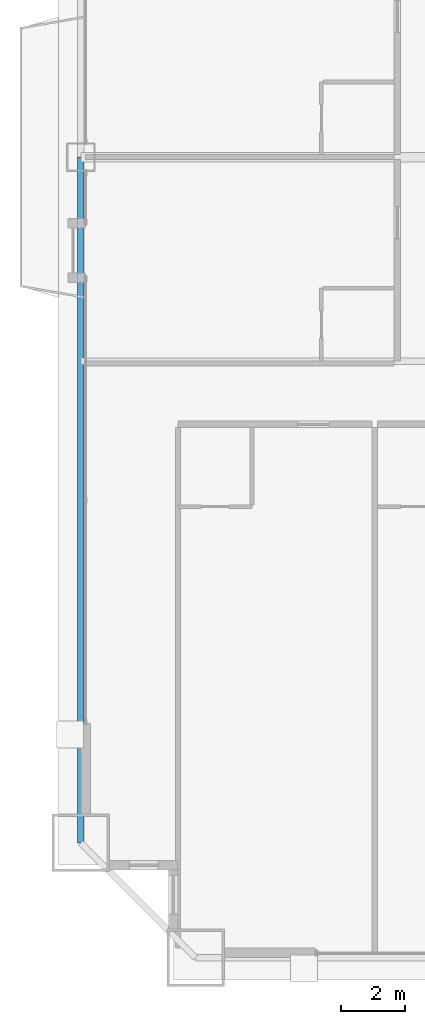
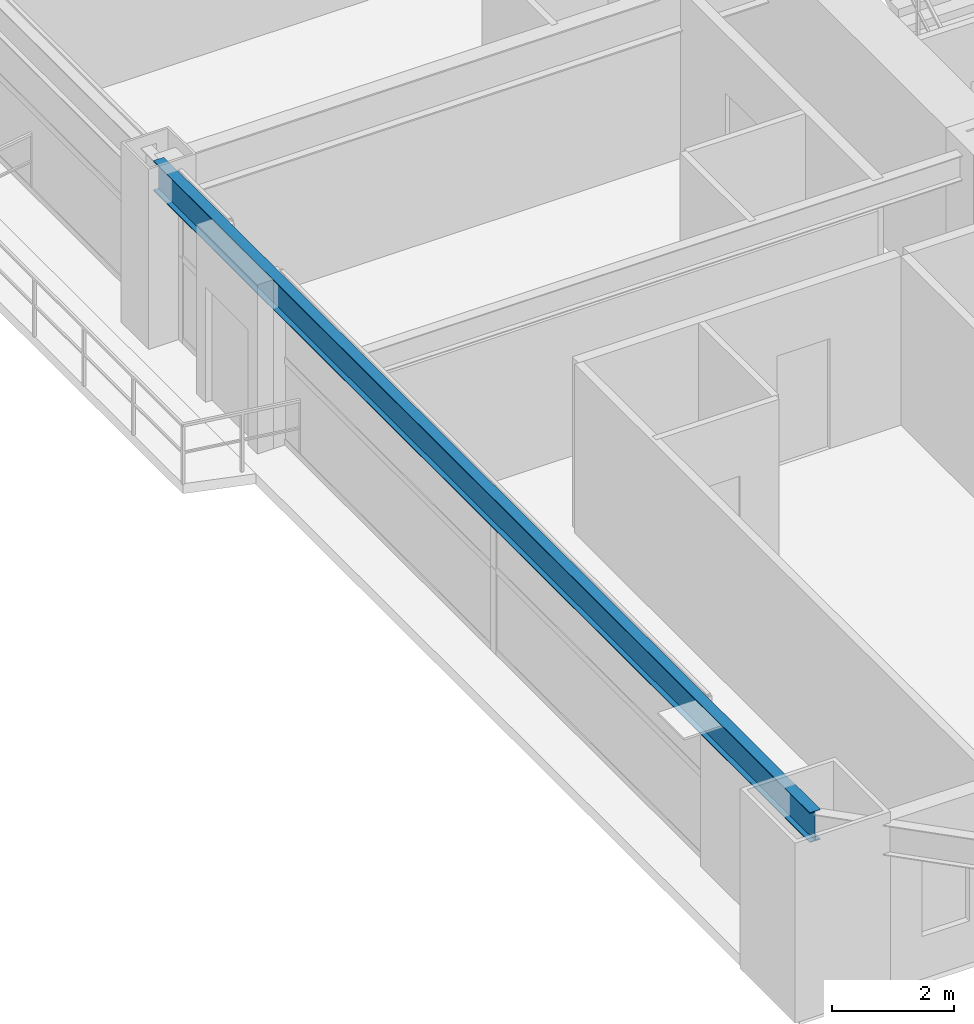
# One storey, part 6 of 46: 1 beam.
"""IFC4 building model written with IfcOpenShell, lengths in metres."""

import ifcopenshell
import ifcopenshell.guid

model = None  # the IFC model being written
_history = None  # IfcOwnerHistory: only IFC2X3 demands one
_inside = {}  # id of a spatial element -> (the spatial element, [elements in it])
_under = {}  # id of a project, library or spatial element -> (it, [spatial elements below it])
_declared = {}  # id of a project -> (the project, [libraries it declares])
_typed = {}  # id of a type object -> (the type object, [elements of that type])
_made_of = {}  # id of a material, layer set ... -> (it, [elements and type objects made of it])


def new_model(schema):
    """Start an empty IFC model of exactly this schema.

    Asked for "IFC4X3", IfcOpenShell would pick the latest addendum, in which some entities
    have other attributes; the version numbers below select the first issue.
    IFC2X3 requires an IfcOwnerHistory on every rooted entity: one is made here for all.
    """
    global model, _history
    if schema == "IFC4X3":
        model = ifcopenshell.file(schema_version=(4, 3, 0, 0))
    else:
        model = ifcopenshell.file(schema=schema)
    _inside.clear()
    _under.clear()
    _declared.clear()
    _typed.clear()
    _made_of.clear()
    _history = None
    if model.schema == "IFC2X3":
        org = make("IfcOrganization", Name="unknown")
        user = make(
            "IfcPersonAndOrganization",
            ThePerson=make("IfcPerson", FamilyName="unknown"),
            TheOrganization=org,
        )
        app = make(
            "IfcApplication",
            ApplicationDeveloper=org,
            Version="unknown",
            ApplicationFullName="unknown",
            ApplicationIdentifier="unknown",
        )
        _history = make(
            "IfcOwnerHistory",
            OwningUser=user,
            OwningApplication=app,
            ChangeAction="ADDED",
            CreationDate=0,
        )
    return model


def make(cls, **values):
    """One entity of the class cls with the attributes given. An attribute that is None is left unset."""
    return model.create_entity(
        cls, **{name: value for name, value in values.items() if value is not None}
    )


def rooted(cls, **values):
    """An entity with a GlobalId (a new one), such as an element, a storey or a relation."""
    return make(cls, GlobalId=ifcopenshell.guid.new(), OwnerHistory=_history, **values)


def si_unit(unit_type, name, prefix=None):
    """IfcSIUnit, for example si_unit("LENGTHUNIT", "METRE", prefix="MILLI")."""
    return make("IfcSIUnit", UnitType=unit_type, Prefix=prefix, Name=name)


def assignment(units):
    """IfcUnitAssignment: the units of a project."""
    return None if units is None else make("IfcUnitAssignment", Units=units)


def point(xyz):
    """IfcCartesianPoint."""
    return None if xyz is None else make("IfcCartesianPoint", Coordinates=xyz)


def direction(xyz):
    """IfcDirection."""
    return None if xyz is None else make("IfcDirection", DirectionRatios=xyz)


def frame(location, z_axis=None, x_axis=None):
    """IfcAxis2Placement3D, a coordinate frame: its origin and axes. An axis left out is left unset."""
    return make(
        "IfcAxis2Placement3D",
        Location=point(location),
        Axis=direction(z_axis),
        RefDirection=direction(x_axis),
    )


def frame_2d(location, x_axis=None):
    """IfcAxis2Placement2D, a coordinate frame in the plane: its origin and x axis."""
    return make(
        "IfcAxis2Placement2D", Location=point(location), RefDirection=direction(x_axis)
    )


def origin():
    """The frame at (0, 0, 0) with its axes left unset."""
    return frame((0.0, 0.0, 0.0))


def origin_2d():
    """The frame at (0, 0) in the plane with its x axis left unset."""
    return frame_2d((0.0, 0.0))


def place(relative_to, where):
    """IfcLocalPlacement: puts the frame where relative to a parent placement (None: the world)."""
    return make(
        "IfcLocalPlacement", PlacementRelTo=relative_to, RelativePlacement=where
    )


def context(
    kind, dimensions, precision=None, world=None, true_north=None, identifier=None
):
    """IfcGeometricRepresentationContext, for example the 3D "Model" context."""
    return make(
        "IfcGeometricRepresentationContext",
        ContextIdentifier=identifier,
        ContextType=kind,
        CoordinateSpaceDimension=dimensions,
        Precision=precision,
        WorldCoordinateSystem=world,
        TrueNorth=true_north,
    )


def subcontext(parent, identifier, kind, view, scale=None):
    """IfcGeometricRepresentationSubContext, for example "Body" below "Model"."""
    return make(
        "IfcGeometricRepresentationSubContext",
        ContextIdentifier=identifier,
        ContextType=kind,
        ParentContext=parent,
        TargetScale=scale,
        TargetView=view,
    )


def project(units=None, contexts=None):
    """IfcProject with its units and contexts."""
    return rooted(
        "IfcProject",
        Name="project",
        RepresentationContexts=contexts,
        UnitsInContext=assignment(units),
    )


def spatial(cls, under=None, at=None, **own):
    """A site, building, storey or space (cls), placed at a placement, below another one or the project."""
    s = rooted(cls, ObjectPlacement=at, **own)
    if under is not None:
        _under.setdefault(under.id(), (under, []))[1].append(s)
    return s


def profile(cls, at=None, kind="AREA", **sizes):
    """A parametric profile (cls). Its sizes go by their IFC names, for example OverallWidth=200.0."""
    return make(cls, ProfileType=kind, Position=at, **sizes)


def i_section(**sizes):
    """IfcIShapeProfileDef."""
    return profile("IfcIShapeProfileDef", **sizes)


def extrude(swept, where, along, depth):
    """IfcExtrudedAreaSolid: the profile swept, set in the frame where, extruded along a direction by depth."""
    return make(
        "IfcExtrudedAreaSolid",
        SweptArea=swept,
        Position=where,
        ExtrudedDirection=direction(along),
        Depth=depth,
    )


def shape(context_of_items, identifier, shape_type, items):
    """IfcShapeRepresentation: the items that make up one representation, for example the "Body"."""
    return make(
        "IfcShapeRepresentation",
        ContextOfItems=context_of_items,
        RepresentationIdentifier=identifier,
        RepresentationType=shape_type,
        Items=items,
    )


def source(mapping_origin, context_of_items, identifier, shape_type, items):
    """IfcRepresentationMap: a shape defined once, which mapped items show again and again."""
    return make(
        "IfcRepresentationMap",
        MappingOrigin=mapping_origin,
        MappedRepresentation=shape(context_of_items, identifier, shape_type, items),
    )


def transform(
    local_origin,
    x_axis=None,
    y_axis=None,
    z_axis=None,
    scale=None,
    scale2=None,
    scale3=None,
    uniform=True,
):
    """IfcCartesianTransformationOperator3D, or its non-uniform kind. x_axis, y_axis, z_axis: its Axis1, 2, 3."""
    if uniform:
        return make(
            "IfcCartesianTransformationOperator3D",
            Axis1=direction(x_axis),
            Axis2=direction(y_axis),
            LocalOrigin=point(local_origin),
            Scale=scale,
            Axis3=direction(z_axis),
        )
    return make(
        "IfcCartesianTransformationOperator3DnonUniform",
        Axis1=direction(x_axis),
        Axis2=direction(y_axis),
        LocalOrigin=point(local_origin),
        Scale=scale,
        Axis3=direction(z_axis),
        Scale2=scale2,
        Scale3=scale3,
    )


def mapped(mapping_source, mapping_target):
    """IfcMappedItem: shows the shape of a source again, moved by a transform."""
    return make(
        "IfcMappedItem", MappingSource=mapping_source, MappingTarget=mapping_target
    )


def material(Name=None, Category=None):
    """IfcMaterial."""
    return make("IfcMaterial", Name=Name, Category=Category)


def material_profile(
    of_material, cross_section, Name=None, Category=None, Priority=None
):
    """IfcMaterialProfile: a cross section and its material."""
    return make(
        "IfcMaterialProfile",
        Name=Name,
        Material=of_material,
        Profile=cross_section,
        Priority=Priority,
        Category=Category,
    )


def profile_set(profiles, Name=None, composite=None):
    """IfcMaterialProfileSet."""
    return make(
        "IfcMaterialProfileSet",
        Name=Name,
        MaterialProfiles=profiles,
        CompositeProfile=composite,
    )


def made_of(thing, what):
    """Note that an element or type object is made of a material, layer set ...; save() writes the relation."""
    if what is not None:
        _made_of.setdefault(what.id(), (what, []))[1].append(thing)
    return thing


def type_object(cls, material=None, **own):
    """A type object (cls), such as IfcWallType, which elements share."""
    return made_of(rooted(cls, **own), material)


def element(
    cls,
    number,
    at=None,
    inside=None,
    cuts=None,
    type_object=None,
    material=None,
    context=None,
    identifier="Body",
    shape_type=None,
    held_by="IfcProductDefinitionShape",
    body=None,
    shapes=None,
    **own,
):
    """One element of the class cls, such as IfcWall. Its Tag is "e" and its number.

    at: its placement. inside: the storey or other place that contains it. cuts: it is an
    opening in that element (IfcRelVoidsElement). A single representation is given by context,
    identifier, shape_type and body (its items); several are given by shapes. held_by: the class
    of the entity that holds the representations. save() writes the other relations.
    """
    e = rooted(cls, Tag="e%d" % number, ObjectPlacement=at, **own)
    if body is not None:
        shapes = [shape(context, identifier, shape_type, body)]
    if shapes is not None:
        e.Representation = make(held_by, Representations=shapes)
    if inside is not None:
        _inside.setdefault(inside.id(), (inside, []))[1].append(e)
    if cuts is not None:
        rooted(
            "IfcRelVoidsElement", RelatingBuildingElement=cuts, RelatedOpeningElement=e
        )
    if type_object is not None:
        _typed.setdefault(type_object.id(), (type_object, []))[1].append(e)
    return made_of(e, material)


def aggregate(whole, parts):
    """IfcRelAggregates: a whole, such as a stair, and the parts it consists of."""
    return rooted("IfcRelAggregates", RelatingObject=whole, RelatedObjects=parts)


def save(model, path):
    """Write the relations noted so far, then the file.

    IfcRelAggregates (storeys below a building ...), IfcRelContainedInSpatialStructure (elements
    in a storey), IfcRelDefinesByType, IfcRelAssociatesMaterial and IfcRelDeclares: one each for
    every whole, place, type object, material and project.
    """
    for whole, parts in _under.values():
        aggregate(whole, parts)
    for where, things in _inside.values():
        rooted(
            "IfcRelContainedInSpatialStructure",
            RelatedElements=things,
            RelatingStructure=where,
        )
    for kind, things in _typed.values():
        rooted("IfcRelDefinesByType", RelatedObjects=things, RelatingType=kind)
    for what, things in _made_of.values():
        rooted("IfcRelAssociatesMaterial", RelatedObjects=things, RelatingMaterial=what)
    for by, libraries in _declared.values():
        rooted("IfcRelDeclares", RelatingContext=by, RelatedDefinitions=libraries)
    model.write(path)


model = new_model("IFC4")

# Units and contexts
model_context = context("Model", 3, precision=1e-05, world=origin(), true_north=direction((0.0, 1.0)))
body_context = subcontext(model_context, "Body", "Model", "MODEL_VIEW")
ifc_project = project(units=[si_unit("LENGTHUNIT", "METRE"), si_unit("AREAUNIT", "SQUARE_METRE"), si_unit("VOLUMEUNIT", "CUBIC_METRE"), si_unit("PLANEANGLEUNIT", "RADIAN"), si_unit("MASSUNIT", "GRAM", prefix="KILO"), si_unit("THERMODYNAMICTEMPERATUREUNIT", "KELVIN"), si_unit("POWERUNIT", "WATT")], contexts=[model_context])

# Site, building, storey
site_placement = place(None, origin())
site = spatial("IfcSite", under=ifc_project, at=site_placement, CompositionType="ELEMENT")
building_placement = place(site_placement, origin())
building = spatial("IfcBuilding", under=site, at=building_placement, Name="Yuzanri Waterfront Tower", CompositionType="ELEMENT")
storey_placement = place(building_placement, frame((0.0, 0.0, 56.800048828125)))
storey = spatial("IfcBuildingStorey", under=building, at=storey_placement, Name="L14", CompositionType="ELEMENT", Elevation=56.800048828125)

# Beam
ifc_material = material(Name="Steel Q355B", Category="steel")
ifc_material_profile = material_profile(ifc_material, i_section(OverallWidth=0.199951171875, OverallDepth=0.60009765625, WebThickness=0.010986328125, FlangeThickness=0.01708984375, at=origin_2d()), Name="HN 600x200x11x17")
ifc_profile_set = profile_set([ifc_material_profile], Name="Steel Q355B")
beam_type = type_object("IfcBeamType", Name="Perimeter Spandrel Q355B HN 600x200", PredefinedType="SPANDREL", material=ifc_profile_set)
shared_shape = source(origin(), body_context, "Body", "SweptSolid", [
    extrude(i_section(OverallWidth=0.199951171875, OverallDepth=0.60009765625, WebThickness=0.010986328125, FlangeThickness=0.01708984375, at=origin_2d()), origin(), (0.0, 0.0, 1.0), 21.5),
])
beam_placement = place(storey_placement, frame((11.89990234375, 25.800048828125, 3.079833984375), z_axis=(0.0, -1.0, 0.0), x_axis=(1.0, 0.0, 0.0)))
element("IfcBeam", 1, at=beam_placement, inside=storey, type_object=beam_type, Name="L14 Perimeter Spandrel W2-W1", PredefinedType="SPANDREL", context=body_context, shape_type="MappedRepresentation", body=[
    mapped(shared_shape, transform((0.0, 0.0, 0.0), scale=1.0)),
])

save(model, "model.ifc")
